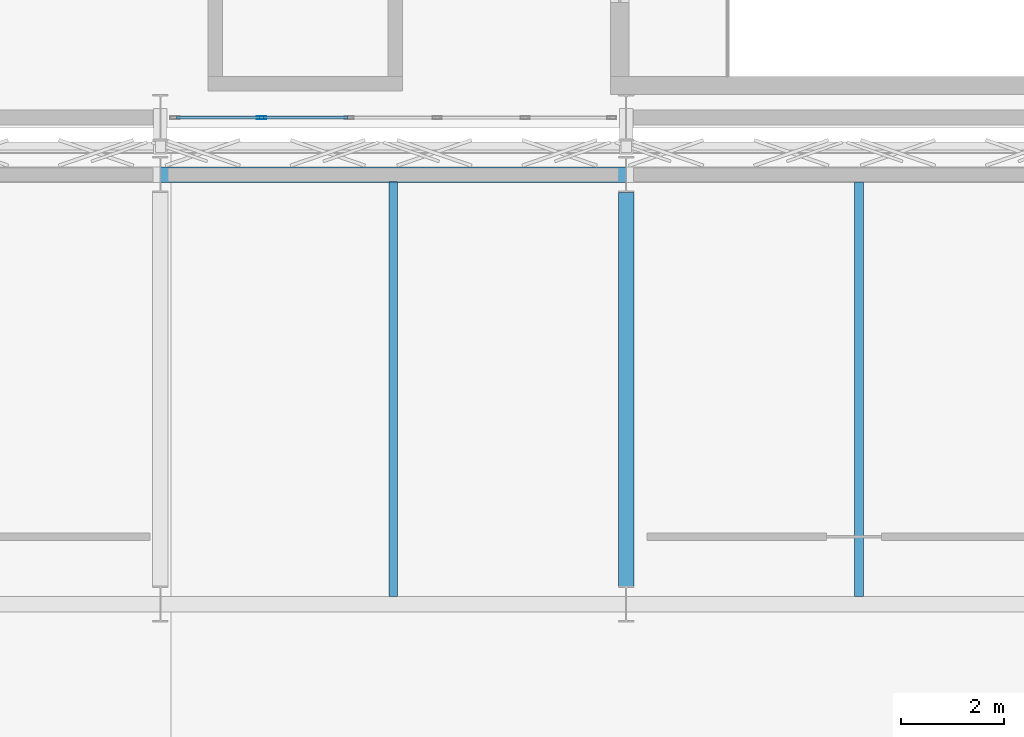
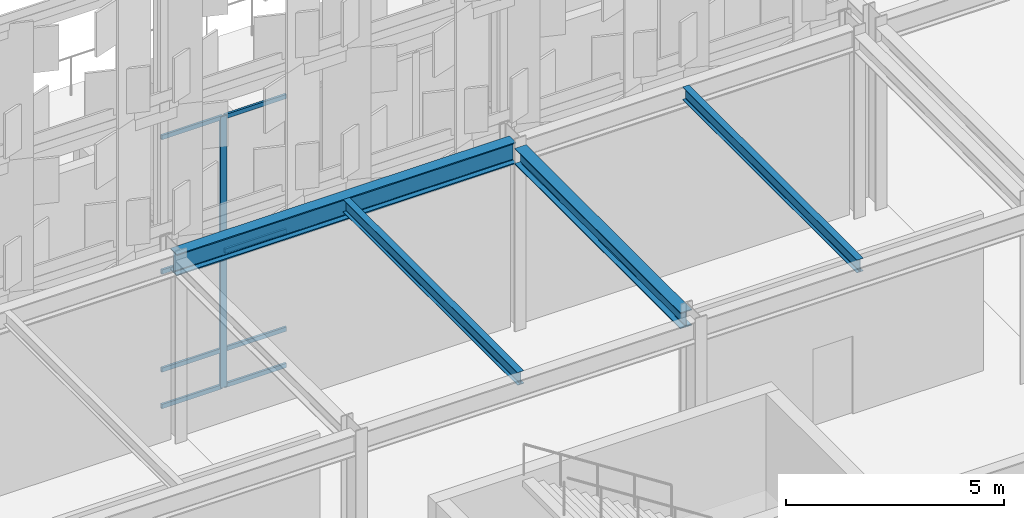
# One storey, part 71 of 210: 9 members, 4 beams, 1 element without a shape of its own.
"""IFC4 building model written with IfcOpenShell, lengths in metres."""

from ifc_helpers import new_model, si_unit, direction, frame, origin, origin_2d, place, context, subcontext, project, spatial, hollow_rectangle, i_section, extrude, material, material_profile, profile_set, type_object, element, aggregate, save


model = new_model("IFC4")

# Units and contexts
model_context = context("Model", 3, precision=1e-05, world=origin(), true_north=direction((0.0, 1.0)))
body_context = subcontext(model_context, "Body", "Model", "MODEL_VIEW")
ifc_project = project(units=[si_unit("LENGTHUNIT", "METRE"), si_unit("AREAUNIT", "SQUARE_METRE"), si_unit("VOLUMEUNIT", "CUBIC_METRE"), si_unit("PLANEANGLEUNIT", "RADIAN"), si_unit("MASSUNIT", "GRAM", prefix="KILO")], contexts=[model_context])

# Site, building, storey
site_placement = place(None, origin())
site = spatial("IfcSite", under=ifc_project, at=site_placement, CompositionType="ELEMENT")
building_placement = place(site_placement, origin())
building = spatial("IfcBuilding", under=site, at=building_placement, Name="Kaldris Quays Convention Centre", CompositionType="ELEMENT")
storey_placement = place(building_placement, frame((0.0, 0.0, 6.0)))
storey = spatial("IfcBuildingStorey", under=building, at=storey_placement, Name="L01", CompositionType="ELEMENT", Elevation=6.0)

# Curtain wall, members
ifc_material_1 = material(Name="Anodized aluminium AW-6060 and triple glazing", Category="aluminium")
curtain_wall_type = type_object("IfcCurtainWallType", Name="UNITISED CURTAIN WALL CW03", PredefinedType="NOTDEFINED", material=ifc_material_1)
curtain_wall_placement = place(storey_placement, origin())
curtain_wall = element("IfcCurtainWall", 1, at=curtain_wall_placement, inside=storey, type_object=curtain_wall_type, Name="L01 Unitised Curtain Wall CW03 13", PredefinedType="NOTDEFINED")
ifc_material_2 = material(Name="Anodized aluminium AW-6060", Category="aluminium")
ifc_material_profile_1 = material_profile(ifc_material_2, hollow_rectangle(XDim=0.06005859375, YDim=0.179931640625, WallThickness=0.0048828125, at=origin_2d()), Name="RHS 180x60x5")
ifc_profile_set_1 = profile_set([ifc_material_profile_1], Name="Anodized aluminium AW-6060")
member_type_1 = type_object("IfcMemberType", Name="CURTAIN MULLION CWM2", PredefinedType="MULLION", material=ifc_profile_set_1)
member_1_placement = place(storey_placement, frame((129.949951171875, 56.0, 0.0), z_axis=(0.0, 0.0, 1.0), x_axis=(0.0, 1.0, 0.0)))
member_1 = element("IfcMember", 2, at=member_1_placement, type_object=member_type_1, Name="CW03 mullion 2", PredefinedType="MULLION", context=body_context, shape_type="SweptSolid", body=[
    extrude(hollow_rectangle(XDim=0.06005859375, YDim=0.179931640625, WallThickness=0.0048828125, at=origin_2d()), origin(), (0.0, 0.0, 1.0), 7.60009765625),
])
ifc_material_profile_2 = material_profile(ifc_material_2, hollow_rectangle(XDim=0.06005859375, YDim=0.1201171875, WallThickness=0.00390625, at=origin_2d()), Name="RHS 120x60x4")
ifc_profile_set_2 = profile_set([ifc_material_profile_2], Name="Anodized aluminium AW-6060")
member_type_2 = type_object("IfcMemberType", Name="CURTAIN TRANSOM CWT1", PredefinedType="USERDEFINED", material=ifc_profile_set_2)
member_2_placement = place(storey_placement, frame((128.31005859375, 56.0, 0.030029296875), z_axis=(1.0, 0.0, 0.0), x_axis=(0.0, 1.0, 0.0)))
member_2 = element("IfcMember", 3, at=member_2_placement, type_object=member_type_2, Name="CW03 transom 1.1", ObjectType="TRANSOM", PredefinedType="USERDEFINED", context=body_context, shape_type="SweptSolid", body=[
    extrude(hollow_rectangle(XDim=0.06005859375, YDim=0.1201171875, WallThickness=0.00390625, at=origin_2d()), origin(), (0.0, 0.0, 1.0), 1.60986328125),
])
member_3_placement = place(storey_placement, frame((128.31005859375, 56.0, 1.050048828125), z_axis=(1.0, 0.0, 0.0), x_axis=(0.0, 1.0, 0.0)))
member_3 = element("IfcMember", 4, at=member_3_placement, type_object=member_type_2, Name="CW03 transom 1.2", ObjectType="TRANSOM", PredefinedType="USERDEFINED", context=body_context, shape_type="SweptSolid", body=[
    extrude(hollow_rectangle(XDim=0.06005859375, YDim=0.1201171875, WallThickness=0.00390625, at=origin_2d()), origin(), (0.0, 0.0, 1.0), 1.60986328125),
])
member_4_placement = place(storey_placement, frame((128.31005859375, 56.0, 3.800048828125), z_axis=(1.0, 0.0, 0.0), x_axis=(0.0, 1.0, 0.0)))
member_4 = element("IfcMember", 5, at=member_4_placement, type_object=member_type_2, Name="CW03 transom 1.3", ObjectType="TRANSOM", PredefinedType="USERDEFINED", context=body_context, shape_type="SweptSolid", body=[
    extrude(hollow_rectangle(XDim=0.06005859375, YDim=0.1201171875, WallThickness=0.00390625, at=origin_2d()), origin(), (0.0, 0.0, 1.0), 1.60986328125),
])
member_5_placement = place(storey_placement, frame((128.31005859375, 56.0, 7.570068359375), z_axis=(1.0, 0.0, 0.0), x_axis=(0.0, 1.0, 0.0)))
member_5 = element("IfcMember", 6, at=member_5_placement, type_object=member_type_2, Name="CW03 transom 1.4", ObjectType="TRANSOM", PredefinedType="USERDEFINED", context=body_context, shape_type="SweptSolid", body=[
    extrude(hollow_rectangle(XDim=0.06005859375, YDim=0.1201171875, WallThickness=0.00390625, at=origin_2d()), origin(), (0.0, 0.0, 1.0), 1.60986328125),
])
member_6_placement = place(storey_placement, frame((129.97998046875, 56.0, 0.030029296875), z_axis=(1.0, 0.0, 0.0), x_axis=(0.0, 1.0, 0.0)))
member_6 = element("IfcMember", 7, at=member_6_placement, type_object=member_type_2, Name="CW03 transom 2.1", ObjectType="TRANSOM", PredefinedType="USERDEFINED", context=body_context, shape_type="SweptSolid", body=[
    extrude(hollow_rectangle(XDim=0.06005859375, YDim=0.1201171875, WallThickness=0.00390625, at=origin_2d()), origin(), (0.0, 0.0, 1.0), 1.64013671875),
])
member_7_placement = place(storey_placement, frame((129.97998046875, 56.0, 1.050048828125), z_axis=(1.0, 0.0, 0.0), x_axis=(0.0, 1.0, 0.0)))
member_7 = element("IfcMember", 8, at=member_7_placement, type_object=member_type_2, Name="CW03 transom 2.2", ObjectType="TRANSOM", PredefinedType="USERDEFINED", context=body_context, shape_type="SweptSolid", body=[
    extrude(hollow_rectangle(XDim=0.06005859375, YDim=0.1201171875, WallThickness=0.00390625, at=origin_2d()), origin(), (0.0, 0.0, 1.0), 1.64013671875),
])
member_8_placement = place(storey_placement, frame((129.97998046875, 56.0, 3.800048828125), z_axis=(1.0, 0.0, 0.0), x_axis=(0.0, 1.0, 0.0)))
member_8 = element("IfcMember", 9, at=member_8_placement, type_object=member_type_2, Name="CW03 transom 2.3", ObjectType="TRANSOM", PredefinedType="USERDEFINED", context=body_context, shape_type="SweptSolid", body=[
    extrude(hollow_rectangle(XDim=0.06005859375, YDim=0.1201171875, WallThickness=0.00390625, at=origin_2d()), origin(), (0.0, 0.0, 1.0), 1.64013671875),
])
member_9_placement = place(storey_placement, frame((129.97998046875, 56.0, 7.570068359375), z_axis=(1.0, 0.0, 0.0), x_axis=(0.0, 1.0, 0.0)))
member_9 = element("IfcMember", 10, at=member_9_placement, type_object=member_type_2, Name="CW03 transom 2.4", ObjectType="TRANSOM", PredefinedType="USERDEFINED", context=body_context, shape_type="SweptSolid", body=[
    extrude(hollow_rectangle(XDim=0.06005859375, YDim=0.1201171875, WallThickness=0.00390625, at=origin_2d()), origin(), (0.0, 0.0, 1.0), 1.64013671875),
])
aggregate(curtain_wall, [member_1, member_2, member_3, member_4, member_5, member_6, member_7, member_8, member_9])

# Beams
ifc_material_3 = material(Name="Steel S355J2", Category="steel")
ifc_material_profile_3 = material_profile(ifc_material_3, i_section(OverallWidth=0.300048828125, OverallDepth=0.60009765625, WebThickness=0.015380859375, FlangeThickness=0.030029296875, FilletRadius=0.027099609375, at=origin_2d()), Name="HEB 600")
ifc_profile_set_3 = profile_set([ifc_material_profile_3], Name="Steel S355J2")
beam_type_1 = type_object("IfcBeamType", Name="STRUCTURAL BEAM BM05", PredefinedType="BEAM", material=ifc_profile_set_3)
beam_1_placement = place(storey_placement, frame((128.00244140625, 54.89990234375, 4.843017578125), z_axis=(1.0, 0.0, 0.0), x_axis=(0.0, 1.0, 0.0)))
element("IfcBeam", 11, at=beam_1_placement, inside=storey, type_object=beam_type_1, Name="L01 Girder BM05 24", PredefinedType="BEAM", context=body_context, shape_type="SweptSolid", body=[
    extrude(i_section(OverallWidth=0.300048828125, OverallDepth=0.60009765625, WebThickness=0.015380859375, FlangeThickness=0.030029296875, FilletRadius=0.027099609375, at=origin_2d()), origin(), (0.0, 0.0, 1.0), 8.9951171875),
])
ifc_material_profile_4 = material_profile(ifc_material_3, i_section(OverallWidth=0.300048828125, OverallDepth=0.449951171875, WebThickness=0.013916015625, FlangeThickness=0.02587890625, FilletRadius=0.027099609375, at=origin_2d()), Name="HEB 450")
ifc_profile_set_4 = profile_set([ifc_material_profile_4], Name="Steel S355J2")
beam_type_2 = type_object("IfcBeamType", Name="STRUCTURAL BEAM BM07", PredefinedType="BEAM", material=ifc_profile_set_4)
beam_2_placement = place(storey_placement, frame((137.0, 46.944091796875, 4.91796875), z_axis=(0.0, 1.0, 0.0), x_axis=(-1.0, 0.0, 0.0)))
element("IfcBeam", 12, at=beam_2_placement, inside=storey, type_object=beam_type_2, Name="L01 Girder BM07 63", PredefinedType="BEAM", context=body_context, shape_type="SweptSolid", body=[
    extrude(i_section(OverallWidth=0.300048828125, OverallDepth=0.449951171875, WebThickness=0.013916015625, FlangeThickness=0.02587890625, FilletRadius=0.027099609375, at=origin_2d()), origin(), (0.0, 0.0, 1.0), 7.61181640625),
])
ifc_material_profile_5 = material_profile(ifc_material_3, i_section(OverallWidth=0.169921875, OverallDepth=0.360107421875, WebThickness=0.008056640625, FlangeThickness=0.0126953125, FilletRadius=0.01806640625, at=origin_2d()), Name="IPE 360")
ifc_profile_set_5 = profile_set([ifc_material_profile_5], Name="Steel S355J2")
beam_type_3 = type_object("IfcBeamType", Name="STRUCTURAL BEAM JT03", PredefinedType="JOIST", material=ifc_profile_set_5)
for number, where, z_axis, x_axis, name in (
    (13, (132.5, 46.743896484375, 4.962890625), (0.0, 1.0, 0.0), (-1.0, 0.0, 0.0), "L01 Secondary Joist JT03 8"),
    (14, (141.5, 46.743896484375, 4.962890625), (0.0, 1.0, 0.0), (-1.0, 0.0, 0.0), "L01 Secondary Joist JT03 9"),
):
    element("IfcBeam", number, at=place(storey_placement, frame(where, z_axis=z_axis, x_axis=x_axis)), inside=storey, type_object=beam_type_3, Name=name, PredefinedType="JOIST", context=body_context, shape_type="SweptSolid", body=[
        extrude(i_section(OverallWidth=0.169921875, OverallDepth=0.360107421875, WebThickness=0.008056640625, FlangeThickness=0.0126953125, FilletRadius=0.01806640625, at=origin_2d()), origin(), (0.0, 0.0, 1.0), 8.01220703125),
    ])

save(model, "model.ifc")
